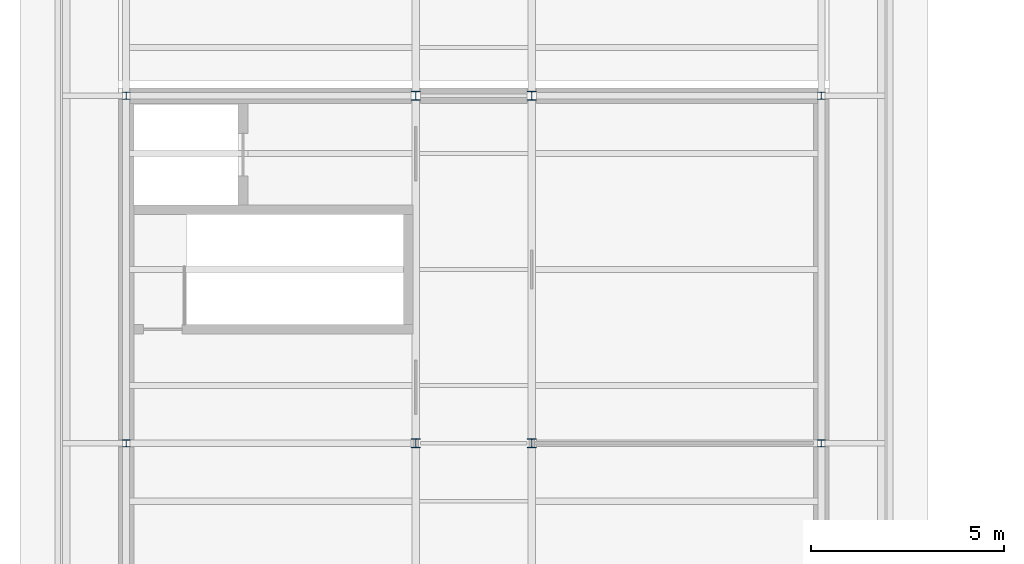
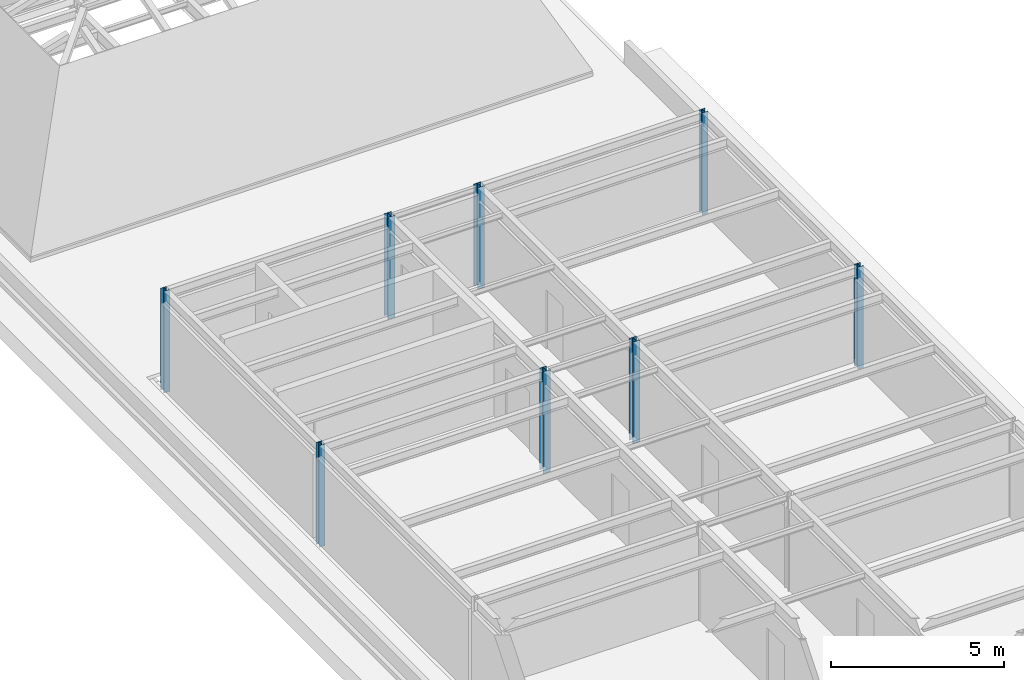
# One storey, part 2 of 29: 8 columns.
"""IFC4 building model written with IfcOpenShell, lengths in metres."""

import ifcopenshell
import ifcopenshell.guid

model = None  # the IFC model being written
_history = None  # IfcOwnerHistory: only IFC2X3 demands one
_inside = {}  # id of a spatial element -> (the spatial element, [elements in it])
_under = {}  # id of a project, library or spatial element -> (it, [spatial elements below it])
_declared = {}  # id of a project -> (the project, [libraries it declares])
_typed = {}  # id of a type object -> (the type object, [elements of that type])
_made_of = {}  # id of a material, layer set ... -> (it, [elements and type objects made of it])


def new_model(schema):
    """Start an empty IFC model of exactly this schema.

    Asked for "IFC4X3", IfcOpenShell would pick the latest addendum, in which some entities
    have other attributes; the version numbers below select the first issue.
    IFC2X3 requires an IfcOwnerHistory on every rooted entity: one is made here for all.
    """
    global model, _history
    if schema == "IFC4X3":
        model = ifcopenshell.file(schema_version=(4, 3, 0, 0))
    else:
        model = ifcopenshell.file(schema=schema)
    _inside.clear()
    _under.clear()
    _declared.clear()
    _typed.clear()
    _made_of.clear()
    _history = None
    if model.schema == "IFC2X3":
        org = make("IfcOrganization", Name="unknown")
        user = make(
            "IfcPersonAndOrganization",
            ThePerson=make("IfcPerson", FamilyName="unknown"),
            TheOrganization=org,
        )
        app = make(
            "IfcApplication",
            ApplicationDeveloper=org,
            Version="unknown",
            ApplicationFullName="unknown",
            ApplicationIdentifier="unknown",
        )
        _history = make(
            "IfcOwnerHistory",
            OwningUser=user,
            OwningApplication=app,
            ChangeAction="ADDED",
            CreationDate=0,
        )
    return model


def make(cls, **values):
    """One entity of the class cls with the attributes given. An attribute that is None is left unset."""
    return model.create_entity(
        cls, **{name: value for name, value in values.items() if value is not None}
    )


def rooted(cls, **values):
    """An entity with a GlobalId (a new one), such as an element, a storey or a relation."""
    return make(cls, GlobalId=ifcopenshell.guid.new(), OwnerHistory=_history, **values)


def si_unit(unit_type, name, prefix=None):
    """IfcSIUnit, for example si_unit("LENGTHUNIT", "METRE", prefix="MILLI")."""
    return make("IfcSIUnit", UnitType=unit_type, Prefix=prefix, Name=name)


def assignment(units):
    """IfcUnitAssignment: the units of a project."""
    return None if units is None else make("IfcUnitAssignment", Units=units)


def point(xyz):
    """IfcCartesianPoint."""
    return None if xyz is None else make("IfcCartesianPoint", Coordinates=xyz)


def direction(xyz):
    """IfcDirection."""
    return None if xyz is None else make("IfcDirection", DirectionRatios=xyz)


def frame(location, z_axis=None, x_axis=None):
    """IfcAxis2Placement3D, a coordinate frame: its origin and axes. An axis left out is left unset."""
    return make(
        "IfcAxis2Placement3D",
        Location=point(location),
        Axis=direction(z_axis),
        RefDirection=direction(x_axis),
    )


def frame_2d(location, x_axis=None):
    """IfcAxis2Placement2D, a coordinate frame in the plane: its origin and x axis."""
    return make(
        "IfcAxis2Placement2D", Location=point(location), RefDirection=direction(x_axis)
    )


def origin():
    """The frame at (0, 0, 0) with its axes left unset."""
    return frame((0.0, 0.0, 0.0))


def origin_2d():
    """The frame at (0, 0) in the plane with its x axis left unset."""
    return frame_2d((0.0, 0.0))


def place(relative_to, where):
    """IfcLocalPlacement: puts the frame where relative to a parent placement (None: the world)."""
    return make(
        "IfcLocalPlacement", PlacementRelTo=relative_to, RelativePlacement=where
    )


def context(
    kind, dimensions, precision=None, world=None, true_north=None, identifier=None
):
    """IfcGeometricRepresentationContext, for example the 3D "Model" context."""
    return make(
        "IfcGeometricRepresentationContext",
        ContextIdentifier=identifier,
        ContextType=kind,
        CoordinateSpaceDimension=dimensions,
        Precision=precision,
        WorldCoordinateSystem=world,
        TrueNorth=true_north,
    )


def subcontext(parent, identifier, kind, view, scale=None):
    """IfcGeometricRepresentationSubContext, for example "Body" below "Model"."""
    return make(
        "IfcGeometricRepresentationSubContext",
        ContextIdentifier=identifier,
        ContextType=kind,
        ParentContext=parent,
        TargetScale=scale,
        TargetView=view,
    )


def project(units=None, contexts=None):
    """IfcProject with its units and contexts."""
    return rooted(
        "IfcProject",
        Name="project",
        RepresentationContexts=contexts,
        UnitsInContext=assignment(units),
    )


def spatial(cls, under=None, at=None, **own):
    """A site, building, storey or space (cls), placed at a placement, below another one or the project."""
    s = rooted(cls, ObjectPlacement=at, **own)
    if under is not None:
        _under.setdefault(under.id(), (under, []))[1].append(s)
    return s


def profile(cls, at=None, kind="AREA", **sizes):
    """A parametric profile (cls). Its sizes go by their IFC names, for example OverallWidth=200.0."""
    return make(cls, ProfileType=kind, Position=at, **sizes)


def i_section(**sizes):
    """IfcIShapeProfileDef."""
    return profile("IfcIShapeProfileDef", **sizes)


def extrude(swept, where, along, depth):
    """IfcExtrudedAreaSolid: the profile swept, set in the frame where, extruded along a direction by depth."""
    return make(
        "IfcExtrudedAreaSolid",
        SweptArea=swept,
        Position=where,
        ExtrudedDirection=direction(along),
        Depth=depth,
    )


def shape(context_of_items, identifier, shape_type, items):
    """IfcShapeRepresentation: the items that make up one representation, for example the "Body"."""
    return make(
        "IfcShapeRepresentation",
        ContextOfItems=context_of_items,
        RepresentationIdentifier=identifier,
        RepresentationType=shape_type,
        Items=items,
    )


def material(Name=None, Category=None):
    """IfcMaterial."""
    return make("IfcMaterial", Name=Name, Category=Category)


def material_profile(
    of_material, cross_section, Name=None, Category=None, Priority=None
):
    """IfcMaterialProfile: a cross section and its material."""
    return make(
        "IfcMaterialProfile",
        Name=Name,
        Material=of_material,
        Profile=cross_section,
        Priority=Priority,
        Category=Category,
    )


def profile_set(profiles, Name=None, composite=None):
    """IfcMaterialProfileSet."""
    return make(
        "IfcMaterialProfileSet",
        Name=Name,
        MaterialProfiles=profiles,
        CompositeProfile=composite,
    )


def made_of(thing, what):
    """Note that an element or type object is made of a material, layer set ...; save() writes the relation."""
    if what is not None:
        _made_of.setdefault(what.id(), (what, []))[1].append(thing)
    return thing


def type_object(cls, material=None, **own):
    """A type object (cls), such as IfcWallType, which elements share."""
    return made_of(rooted(cls, **own), material)


def element(
    cls,
    number,
    at=None,
    inside=None,
    cuts=None,
    type_object=None,
    material=None,
    context=None,
    identifier="Body",
    shape_type=None,
    held_by="IfcProductDefinitionShape",
    body=None,
    shapes=None,
    **own,
):
    """One element of the class cls, such as IfcWall. Its Tag is "e" and its number.

    at: its placement. inside: the storey or other place that contains it. cuts: it is an
    opening in that element (IfcRelVoidsElement). A single representation is given by context,
    identifier, shape_type and body (its items); several are given by shapes. held_by: the class
    of the entity that holds the representations. save() writes the other relations.
    """
    e = rooted(cls, Tag="e%d" % number, ObjectPlacement=at, **own)
    if body is not None:
        shapes = [shape(context, identifier, shape_type, body)]
    if shapes is not None:
        e.Representation = make(held_by, Representations=shapes)
    if inside is not None:
        _inside.setdefault(inside.id(), (inside, []))[1].append(e)
    if cuts is not None:
        rooted(
            "IfcRelVoidsElement", RelatingBuildingElement=cuts, RelatedOpeningElement=e
        )
    if type_object is not None:
        _typed.setdefault(type_object.id(), (type_object, []))[1].append(e)
    return made_of(e, material)


def aggregate(whole, parts):
    """IfcRelAggregates: a whole, such as a stair, and the parts it consists of."""
    return rooted("IfcRelAggregates", RelatingObject=whole, RelatedObjects=parts)


def save(model, path):
    """Write the relations noted so far, then the file.

    IfcRelAggregates (storeys below a building ...), IfcRelContainedInSpatialStructure (elements
    in a storey), IfcRelDefinesByType, IfcRelAssociatesMaterial and IfcRelDeclares: one each for
    every whole, place, type object, material and project.
    """
    for whole, parts in _under.values():
        aggregate(whole, parts)
    for where, things in _inside.values():
        rooted(
            "IfcRelContainedInSpatialStructure",
            RelatedElements=things,
            RelatingStructure=where,
        )
    for kind, things in _typed.values():
        rooted("IfcRelDefinesByType", RelatedObjects=things, RelatingType=kind)
    for what, things in _made_of.values():
        rooted("IfcRelAssociatesMaterial", RelatedObjects=things, RelatingMaterial=what)
    for by, libraries in _declared.values():
        rooted("IfcRelDeclares", RelatingContext=by, RelatedDefinitions=libraries)
    model.write(path)


model = new_model("IFC4")

# Units and contexts
model_context = context("Model", 3, precision=1e-05, world=origin(), true_north=direction((0.0, 1.0)))
body_context = subcontext(model_context, "Body", "Model", "MODEL_VIEW")
ifc_project = project(units=[si_unit("LENGTHUNIT", "METRE"), si_unit("AREAUNIT", "SQUARE_METRE"), si_unit("VOLUMEUNIT", "CUBIC_METRE"), si_unit("PLANEANGLEUNIT", "RADIAN"), si_unit("MASSUNIT", "GRAM", prefix="KILO")], contexts=[model_context])

# Site, building, storey
site_placement = place(None, origin())
site = spatial("IfcSite", under=ifc_project, at=site_placement, CompositionType="ELEMENT")
building_placement = place(site_placement, origin())
building = spatial("IfcBuilding", under=site, at=building_placement, Name="Golden Quay Civic Hall", CompositionType="ELEMENT")
storey_placement = place(building_placement, frame((0.0, 0.0, 27.0)))
storey = spatial("IfcBuildingStorey", under=building, at=storey_placement, Name="L06", CompositionType="ELEMENT", Elevation=27.0)

# Columns
ifc_material_1 = material(Name="Steel S355", Category="steel")
ifc_material_profile_1 = material_profile(ifc_material_1, i_section(OverallWidth=0.199951171875, OverallDepth=0.18994140625, WebThickness=0.006591796875, FlangeThickness=0.010009765625, FilletRadius=0.01806640625, at=origin_2d()), Name="HEA 200")
ifc_profile_set_1 = profile_set([ifc_material_profile_1], Name="Steel S355")
column_type_1 = type_object("IfcColumnType", Name="Steel column HEA 200", PredefinedType="COLUMN", material=ifc_profile_set_1)
for number, where, z_axis, x_axis, name in (
    (1, (0.0, 54.0, -0.25), (0.0, 0.0, 1.0), (1.0, 0.0, 0.0), "Column 0/54 L06"),
    (2, (0.0, 63.0, -0.25), (0.0, 0.0, 1.0), (1.0, 0.0, 0.0), "Column 0/63 L06"),
    (3, (18.0, 54.0, -0.25), (0.0, 0.0, 1.0), (1.0, 0.0, 0.0), "Column 18/54 L06"),
    (4, (18.0, 63.0, -0.25), (0.0, 0.0, 1.0), (1.0, 0.0, 0.0), "Column 18/63 L06"),
):
    element("IfcColumn", number, at=place(storey_placement, frame(where, z_axis=z_axis, x_axis=x_axis)), inside=storey, type_object=column_type_1, Name=name, PredefinedType="COLUMN", context=body_context, shape_type="SweptSolid", body=[
        extrude(i_section(OverallWidth=0.199951171875, OverallDepth=0.18994140625, WebThickness=0.006591796875, FlangeThickness=0.010009765625, FilletRadius=0.01806640625, at=origin_2d()), origin(), (0.0, 0.0, 1.0), 3.60009765625),
    ])
ifc_material_2 = material(Name="Steel S355", Category="steel")
ifc_material_profile_2 = material_profile(ifc_material_2, i_section(OverallWidth=0.239990234375, OverallDepth=0.22998046875, WebThickness=0.007568359375, FlangeThickness=0.011962890625, FilletRadius=0.02099609375, at=origin_2d()), Name="HEA 240")
ifc_profile_set_2 = profile_set([ifc_material_profile_2], Name="Steel S355")
column_type_2 = type_object("IfcColumnType", Name="Steel column HEA 240", PredefinedType="COLUMN", material=ifc_profile_set_2)
for number, where, z_axis, x_axis, name in (
    (5, (7.5, 54.0, -0.25), (0.0, 0.0, 1.0), (1.0, 0.0, 0.0), "Column 7.5/54 L06"),
    (6, (7.5, 63.0, -0.25), (0.0, 0.0, 1.0), (1.0, 0.0, 0.0), "Column 7.5/63 L06"),
    (7, (10.5, 54.0, -0.25), (0.0, 0.0, 1.0), (1.0, 0.0, 0.0), "Column 10.5/54 L06"),
    (8, (10.5, 63.0, -0.25), (0.0, 0.0, 1.0), (1.0, 0.0, 0.0), "Column 10.5/63 L06"),
):
    element("IfcColumn", number, at=place(storey_placement, frame(where, z_axis=z_axis, x_axis=x_axis)), inside=storey, type_object=column_type_2, Name=name, PredefinedType="COLUMN", context=body_context, shape_type="SweptSolid", body=[
        extrude(i_section(OverallWidth=0.239990234375, OverallDepth=0.22998046875, WebThickness=0.007568359375, FlangeThickness=0.011962890625, FilletRadius=0.02099609375, at=origin_2d()), origin(), (0.0, 0.0, 1.0), 3.60009765625),
    ])

save(model, "model.ifc")
